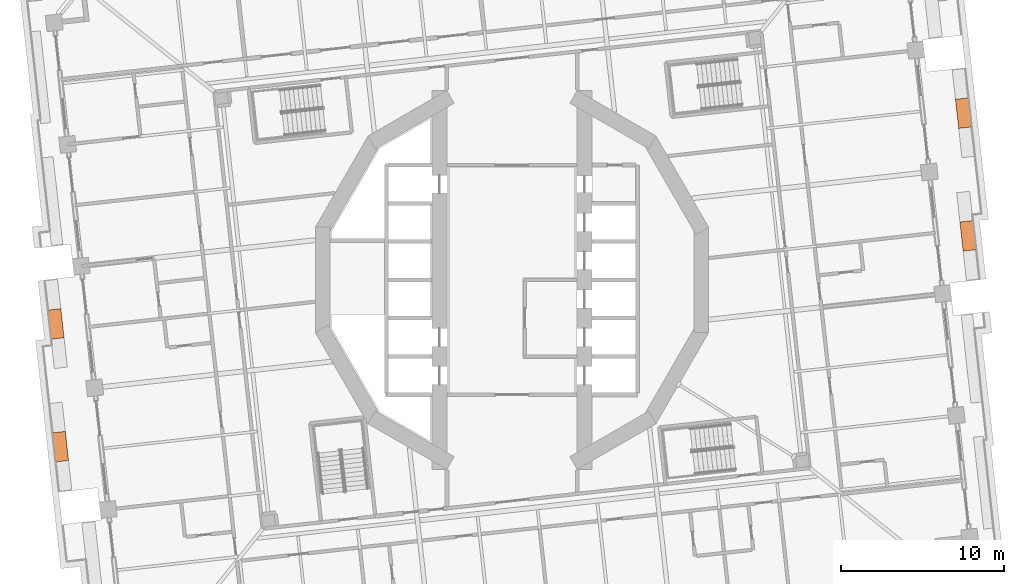
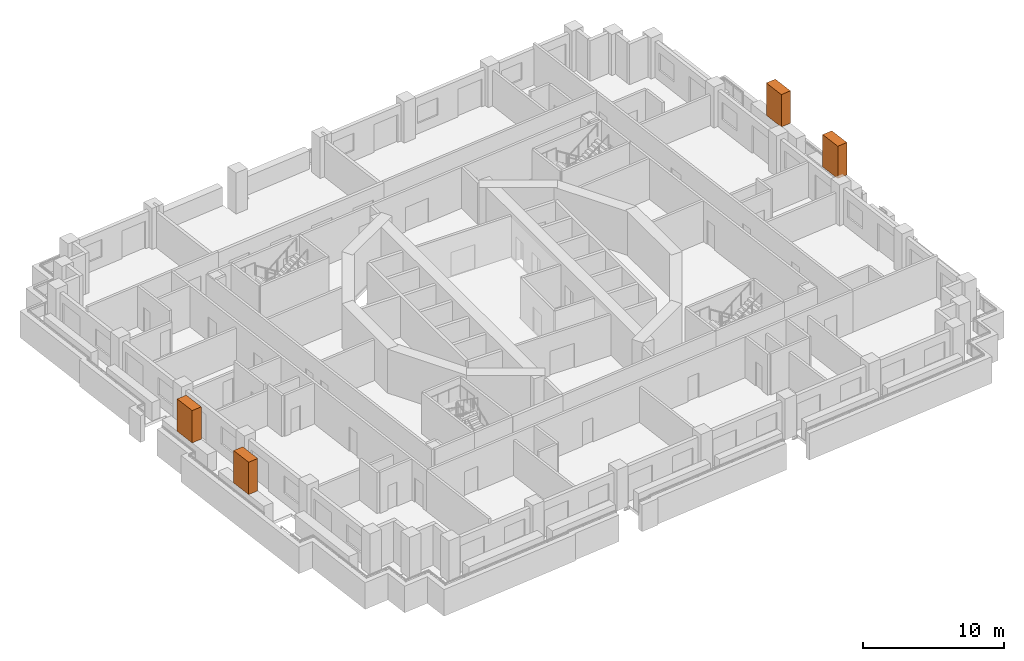
# One storey, part 19 of 19: 4 proxies.
"""IFC4 building model written with IfcOpenShell, lengths in metres."""

from ifc_helpers import new_model, si_unit, direction, frame, origin, origin_2d, place, context, subcontext, project, spatial, rectangle, extrude, element, save


model = new_model("IFC4")

# Units and contexts
model_context = context("Model", 3, precision=1e-05, world=origin(), true_north=direction((0.0, 1.0)))
body_context = subcontext(model_context, "Body", "Model", "MODEL_VIEW")
ifc_project = project(units=[si_unit("LENGTHUNIT", "METRE"), si_unit("AREAUNIT", "SQUARE_METRE"), si_unit("VOLUMEUNIT", "CUBIC_METRE"), si_unit("PLANEANGLEUNIT", "RADIAN"), si_unit("MASSUNIT", "GRAM", prefix="KILO")], contexts=[model_context])

# Site, building, storey
site_placement = place(None, origin())
site = spatial("IfcSite", under=ifc_project, at=site_placement, CompositionType="ELEMENT")
building_placement = place(site_placement, origin())
building = spatial("IfcBuilding", under=site, at=building_placement, Name="Cantera Rosa Tower", CompositionType="ELEMENT")
storey_placement = place(building_placement, frame((0.0, 0.0, 53.89990234375)))
storey = spatial("IfcBuildingStorey", under=building, at=storey_placement, Name="L10", CompositionType="ELEMENT", Elevation=53.89990234375)

# Proxies
for number, where, z_axis, x_axis, name in (
    (1, (28.00341796875, 2.70556640625, 1.60009765625), (0.0, 0.0, 1.0), (-0.110312555526, 0.993896946415, 0.0), "TREE L10-03"),
    (2, (27.72705078125, 10.2412109375, 1.60009765625), (0.0, 0.0, 1.0), (-0.110312555526, 0.993896946415, 0.0), "TREE L10-04"),
    (3, (-28.00341796875, -2.70556640625, 1.60009765625), (0.0, 0.0, 1.0), (0.110312555526, -0.993896946415, 0.0), "TREE L10-14"),
    (4, (-27.72705078125, -10.2412109375, 1.60009765625), (0.0, 0.0, 1.0), (0.110312555526, -0.993896946415, 0.0), "TREE L10-15"),
):
    element("IfcBuildingElementProxy", number, at=place(storey_placement, frame(where, z_axis=z_axis, x_axis=x_axis)), inside=storey, Name=name, ObjectType="TREE", PredefinedType="USERDEFINED", context=body_context, shape_type="SweptSolid", body=[
        extrude(rectangle(XDim=1.800048828125, YDim=0.800048828125, at=origin_2d()), origin(), (0.0, 0.0, 1.0), 2.800048828125),
    ])

save(model, "model.ifc")
